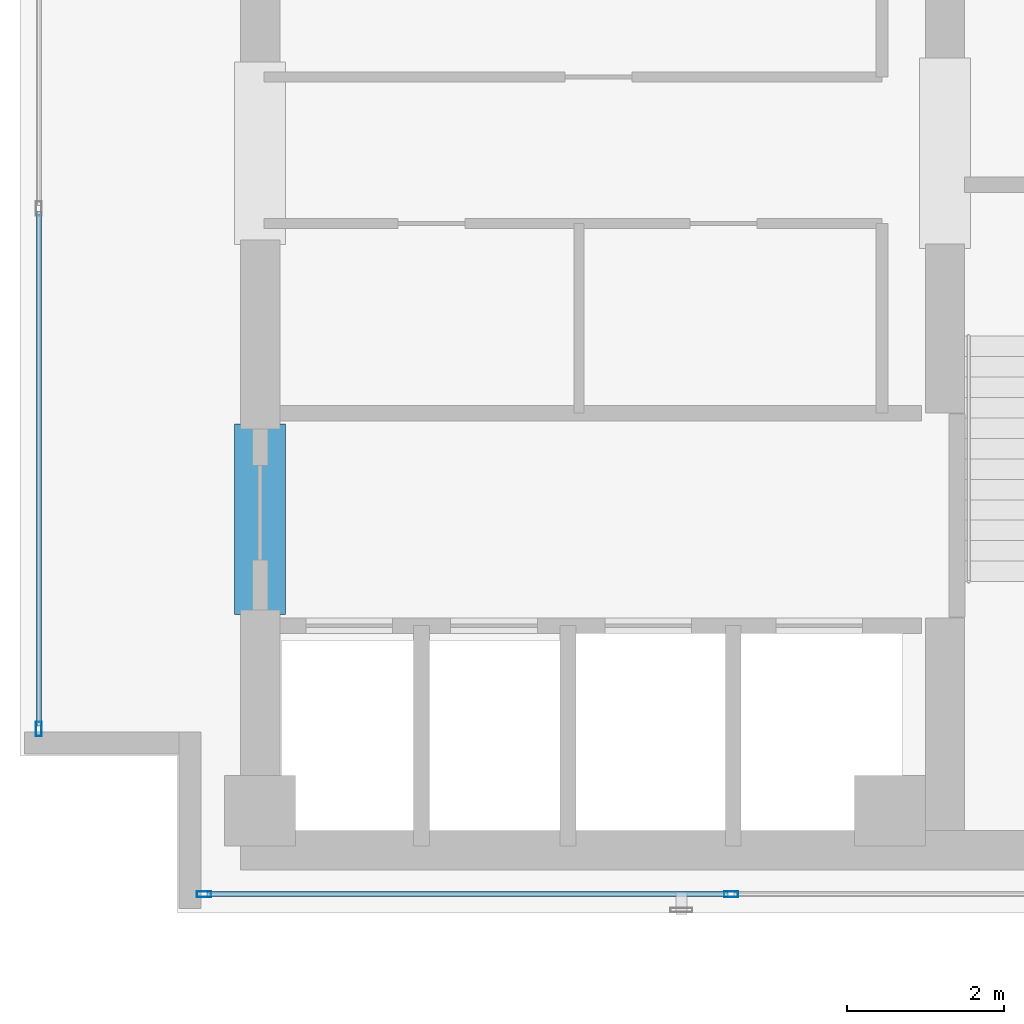
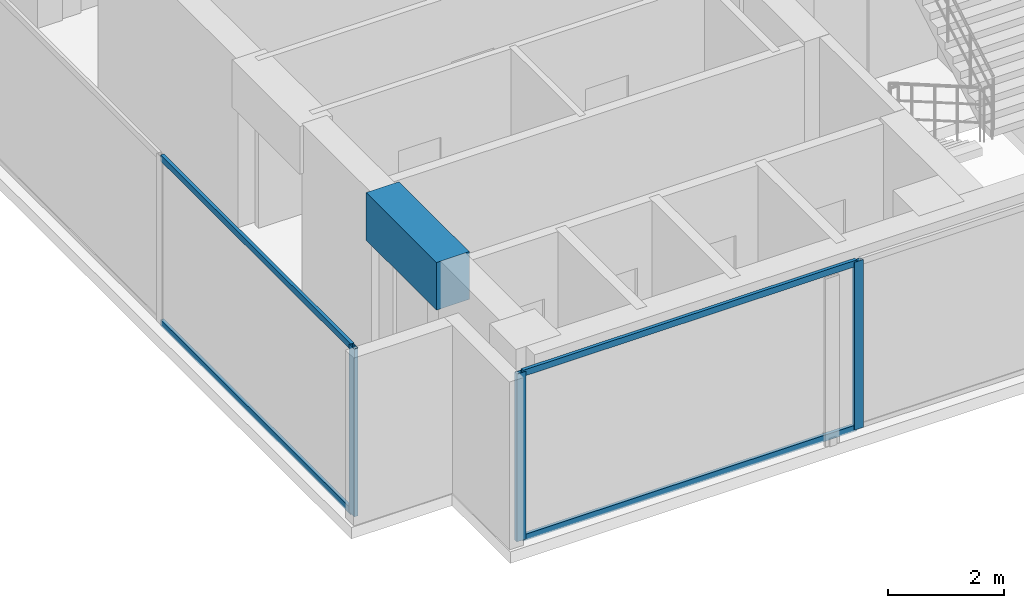
# One storey, part 2 of 32: 7 members, 1 beam, 2 elements without a shape of their own.
"""IFC4 building model written with IfcOpenShell, lengths in metres."""

from ifc_helpers import new_model, si_unit, direction, frame, origin, origin_with_axes, origin_2d, place, context, subcontext, project, spatial, rectangle, hollow_rectangle, extrude, source, transform, mapped, material, layer, layer_set, material_profile, profile_set, type_object, element, aggregate, save


model = new_model("IFC4")

# Units and contexts
model_context = context("Model", 3, precision=1e-05, world=origin(), true_north=direction((0.0, 1.0)))
body_context = subcontext(model_context, "Body", "Model", "MODEL_VIEW")
ifc_project = project(units=[si_unit("LENGTHUNIT", "METRE"), si_unit("AREAUNIT", "SQUARE_METRE"), si_unit("VOLUMEUNIT", "CUBIC_METRE"), si_unit("PLANEANGLEUNIT", "RADIAN"), si_unit("MASSUNIT", "GRAM", prefix="KILO")], contexts=[model_context])

# Site, building, storey
site_placement = place(None, origin())
site = spatial("IfcSite", under=ifc_project, at=site_placement, CompositionType="ELEMENT")
building_placement = place(site_placement, origin())
building = spatial("IfcBuilding", under=site, at=building_placement, Name="Kolvaren Waterfront Exchange", CompositionType="ELEMENT")
storey_placement = place(building_placement, frame((0.0, 0.0, 348.10009765625)))
storey = spatial("IfcBuildingStorey", under=building, at=storey_placement, Name="L89", CompositionType="ELEMENT", Elevation=348.10009765625)

# Beam
ifc_material_1 = material(Name="Concrete C60/75", Category="concrete")
ifc_material_profile_1 = material_profile(ifc_material_1, rectangle(XDim=0.64990234375, YDim=1.0, at=origin_2d()), Name="RC-CB-1000x650")
ifc_profile_set_1 = profile_set([ifc_material_profile_1], Name="Concrete C60/75")
beam_type = type_object("IfcBeamType", Name="STR-CB-1000", PredefinedType="SPANDREL", material=ifc_profile_set_1)
beam_placement = place(storey_placement, frame((7.449951171875, 7.389892578125, 3.02001953125), z_axis=(0.0, 1.0, 0.0), x_axis=(-1.0, 0.0, 0.0)))
element("IfcBeam", 1, at=beam_placement, inside=storey, type_object=beam_type, Name="L89 core coupling beam 3", PredefinedType="SPANDREL", context=body_context, shape_type="SweptSolid", body=[
    extrude(rectangle(XDim=0.64990234375, YDim=1.0, at=origin_2d()), origin(), (0.0, 0.0, 1.0), 2.420166015625),
])

# Curtain wall, members
ifc_material_2 = material(Name="Anodised bronze aluminium 6063-T6", Category="aluminium")
ifc_layer = layer(ifc_material_2, 0.219970703125, Name="Anodised bronze aluminium 6063-T6")
ifc_layer_set = layer_set([ifc_layer], Name="Anodised bronze aluminium 6063-T6")
curtain_wall_type = type_object("IfcCurtainWallType", Name="ARC-CW-SYS5", PredefinedType="USERDEFINED", material=ifc_layer_set)
curtain_wall_1_placement = place(storey_placement, origin())
curtain_wall_1 = element("IfcCurtainWall", 2, at=curtain_wall_1_placement, inside=storey, type_object=curtain_wall_type, Name="L89 stick curtain wall CW5 (CW-L89-S)", ObjectType="STICK CURTAIN WALL", PredefinedType="USERDEFINED")
ifc_material_profile_2 = material_profile(ifc_material_2, hollow_rectangle(XDim=0.06494140625, YDim=0.1298828125, WallThickness=0.00390625, at=origin_2d()), Name="ALU-TRN-130x65x4")
ifc_profile_set_2 = profile_set([ifc_material_profile_2], Name="Anodised bronze aluminium 6063-T6")
member_type_1 = type_object("IfcMemberType", Name="ARC-CWT-130", PredefinedType="USERDEFINED", material=ifc_profile_set_2)
shared_shape_1 = source(origin_with_axes(), body_context, "Body", "SweptSolid", [
    extrude(hollow_rectangle(XDim=0.06494140625, YDim=0.1298828125, WallThickness=0.00390625, at=origin_2d()), origin(), (0.0, 0.0, 1.0), 6.620849609375),
])
member_1_placement = place(storey_placement, frame((6.77490234375, 3.840087890625, 0.032470703125), z_axis=(1.0, 0.0, 0.0), x_axis=(0.0, 1.0, 0.0)))
member_1 = element("IfcMember", 3, at=member_1_placement, type_object=member_type_1, Name="CW5 transom 1.1", ObjectType="TRANSOM", PredefinedType="USERDEFINED", context=body_context, shape_type="MappedRepresentation", body=[
    mapped(shared_shape_1, transform((0.0, 0.0, 0.0), x_axis=(1.0, 0.0, 0.0), y_axis=(0.0, 1.0, 0.0), z_axis=(0.0, 0.0, 1.0), scale=1.0)),
])
member_2_placement = place(storey_placement, frame((6.77490234375, 3.840087890625, 3.4873046875), z_axis=(1.0, 0.0, 0.0), x_axis=(0.0, 1.0, 0.0)))
member_2 = element("IfcMember", 4, at=member_2_placement, type_object=member_type_1, Name="CW5 transom 1.2", ObjectType="TRANSOM", PredefinedType="USERDEFINED", context=body_context, shape_type="MappedRepresentation", body=[
    mapped(shared_shape_1, transform((0.0, 0.0, 0.0), x_axis=(1.0, 0.0, 0.0), y_axis=(0.0, 1.0, 0.0), z_axis=(0.0, 0.0, 1.0), scale=1.0)),
])

curtain_wall_2_placement = place(storey_placement, origin())
curtain_wall_2 = element("IfcCurtainWall", 5, at=curtain_wall_2_placement, inside=storey, type_object=curtain_wall_type, Name="L89 stick curtain wall CW5 (CW-L89-W)", ObjectType="STICK CURTAIN WALL", PredefinedType="USERDEFINED")
shared_shape_2 = source(origin_with_axes(), body_context, "Body", "SweptSolid", [
    extrude(hollow_rectangle(XDim=0.06494140625, YDim=0.1298828125, WallThickness=0.00390625, at=origin_2d()), origin(), (0.0, 0.0, 1.0), 6.537353515625),
])
member_3_placement = place(storey_placement, frame((4.639892578125, 5.97509765625, 0.032470703125), z_axis=(0.0, 1.0, 0.0), x_axis=(-1.0, 0.0, 0.0)))
member_3 = element("IfcMember", 6, at=member_3_placement, type_object=member_type_1, Name="CW5 transom 1.1", ObjectType="TRANSOM", PredefinedType="USERDEFINED", context=body_context, shape_type="MappedRepresentation", body=[
    mapped(shared_shape_2, transform((0.0, 0.0, 0.0), x_axis=(1.0, 0.0, 0.0), y_axis=(0.0, 1.0, 0.0), z_axis=(0.0, 0.0, 1.0), scale=1.0)),
])
member_4_placement = place(storey_placement, frame((4.639892578125, 5.97509765625, 3.4873046875), z_axis=(0.0, 1.0, 0.0), x_axis=(-1.0, 0.0, 0.0)))
member_4 = element("IfcMember", 7, at=member_4_placement, type_object=member_type_1, Name="CW5 transom 1.2", ObjectType="TRANSOM", PredefinedType="USERDEFINED", context=body_context, shape_type="MappedRepresentation", body=[
    mapped(shared_shape_2, transform((0.0, 0.0, 0.0), x_axis=(1.0, 0.0, 0.0), y_axis=(0.0, 1.0, 0.0), z_axis=(0.0, 0.0, 1.0), scale=1.0)),
])

# Member
ifc_material_profile_3 = material_profile(ifc_material_2, hollow_rectangle(XDim=0.074951171875, YDim=0.179931640625, WallThickness=0.00439453125, at=origin_2d()), Name="ALU-MUL-180x75x4.5")
ifc_profile_set_3 = profile_set([ifc_material_profile_3], Name="Anodised bronze aluminium 6063-T6")
member_type_2 = type_object("IfcMemberType", Name="ARC-CWM-180", PredefinedType="MULLION", material=ifc_profile_set_3)
shared_shape_3 = source(origin_with_axes(), body_context, "Body", "SweptSolid", [
    extrude(hollow_rectangle(XDim=0.074951171875, YDim=0.179931640625, WallThickness=0.00439453125, at=origin_2d()), origin(), (0.0, 0.0, 1.0), 3.52001953125),
])
member_5_placement = place(storey_placement, frame((6.737548828125, 3.840087890625, 0.0), z_axis=(0.0, 0.0, 1.0), x_axis=(0.0, 1.0, 0.0)))
member_5 = element("IfcMember", 8, at=member_5_placement, type_object=member_type_2, Name="CW5 mullion 1", PredefinedType="MULLION", context=body_context, shape_type="MappedRepresentation", body=[
    mapped(shared_shape_3, transform((0.0, 0.0, 0.0), x_axis=(1.0, 0.0, 0.0), y_axis=(0.0, 1.0, 0.0), z_axis=(0.0, 0.0, 1.0), scale=1.0)),
])

member_6_placement = place(storey_placement, frame((13.433349609375, 3.840087890625, 0.0), z_axis=(0.0, 0.0, 1.0), x_axis=(0.0, 1.0, 0.0)))
member_6 = element("IfcMember", 9, at=member_6_placement, type_object=member_type_2, Name="CW5 mullion 2", PredefinedType="MULLION", context=body_context, shape_type="MappedRepresentation", body=[
    mapped(shared_shape_3, transform((0.0, 0.0, 0.0), x_axis=(1.0, 0.0, 0.0), y_axis=(0.0, 1.0, 0.0), z_axis=(0.0, 0.0, 1.0), scale=1.0)),
])

aggregate(curtain_wall_1, [member_5, member_6, member_1, member_2])

member_7_placement = place(storey_placement, frame((4.639892578125, 5.9375, 0.0), z_axis=(0.0, 0.0, 1.0), x_axis=(-1.0, 0.0, 0.0)))
member_7 = element("IfcMember", 10, at=member_7_placement, type_object=member_type_2, Name="CW5 mullion 1", PredefinedType="MULLION", context=body_context, shape_type="MappedRepresentation", body=[
    mapped(shared_shape_3, transform((0.0, 0.0, 0.0), x_axis=(1.0, 0.0, 0.0), y_axis=(0.0, 1.0, 0.0), z_axis=(0.0, 0.0, 1.0), scale=1.0)),
])

aggregate(curtain_wall_2, [member_7, member_3, member_4])

save(model, "model.ifc")
